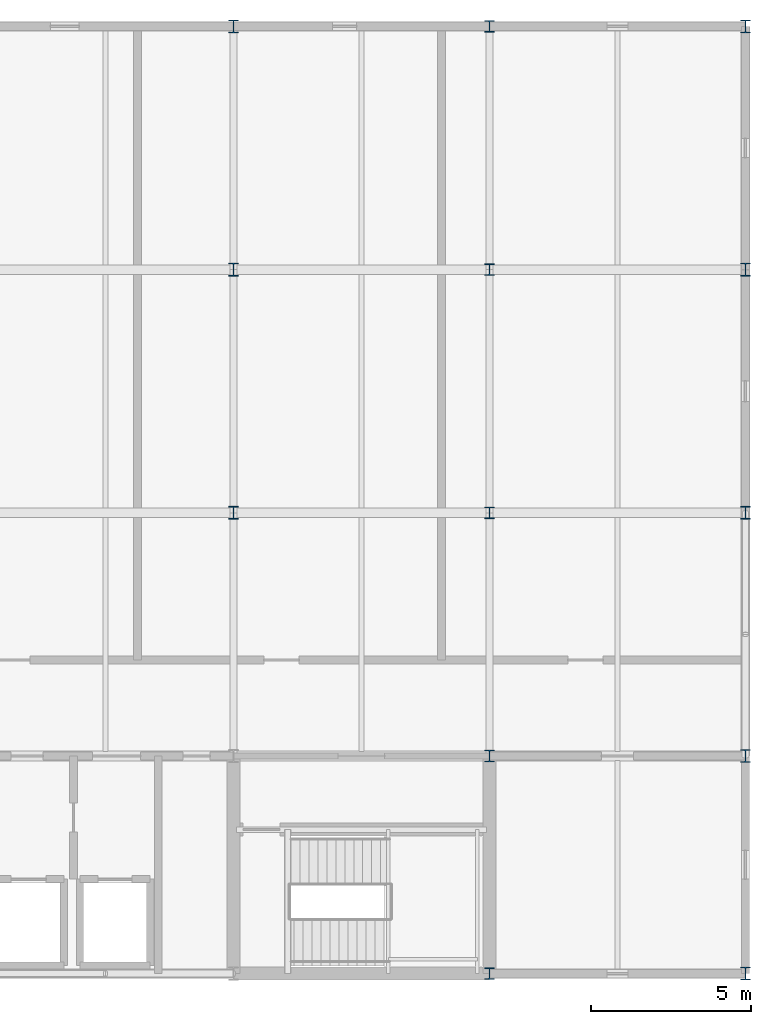
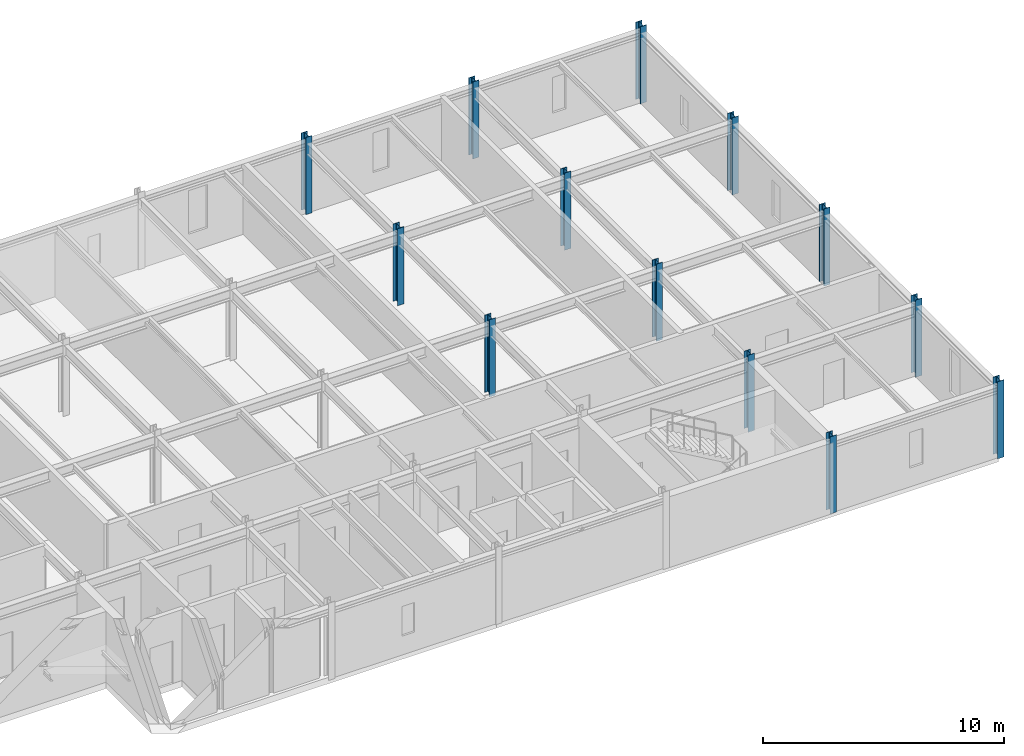
# One storey, part 2 of 9: 13 columns.
"""IFC4 building model written with IfcOpenShell, lengths in metres."""

from ifc_helpers import new_model, si_unit, direction, frame, origin, origin_2d, place, context, subcontext, project, spatial, i_section, extrude, material, material_profile, profile_set, type_object, element, save


model = new_model("IFC4")

# Units and contexts
model_context = context("Model", 3, precision=1e-05, world=origin(), true_north=direction((0.0, 1.0)))
body_context = subcontext(model_context, "Body", "Model", "MODEL_VIEW")
ifc_project = project(units=[si_unit("LENGTHUNIT", "METRE"), si_unit("AREAUNIT", "SQUARE_METRE"), si_unit("VOLUMEUNIT", "CUBIC_METRE"), si_unit("PLANEANGLEUNIT", "RADIAN"), si_unit("MASSUNIT", "GRAM", prefix="KILO")], contexts=[model_context])

# Site, building, storey
site_placement = place(None, origin())
site = spatial("IfcSite", under=ifc_project, at=site_placement, CompositionType="ELEMENT")
building_placement = place(site_placement, origin())
building = spatial("IfcBuilding", under=site, at=building_placement, Name="Shalkamar Park Central Library", CompositionType="ELEMENT")
storey_placement = place(building_placement, frame((0.0, 0.0, 60.0)))
storey = spatial("IfcBuildingStorey", under=building, at=storey_placement, Name="L15", CompositionType="ELEMENT", Elevation=60.0)

# Columns
ifc_material = material(Name="Steel S355", Category="steel")
ifc_material_profile_1 = material_profile(ifc_material, i_section(OverallWidth=0.300048828125, OverallDepth=0.360107421875, WebThickness=0.012451171875, FlangeThickness=0.0224609375, FilletRadius=0.027099609375, at=origin_2d()), Name="HEB 360")
ifc_profile_set_1 = profile_set([ifc_material_profile_1], Name="Steel S355")
column_type_1 = type_object("IfcColumnType", Name="Column Steel HEB360", PredefinedType="COLUMN", material=ifc_profile_set_1)
for number, where, z_axis, x_axis, name in (
    (1, (205.0, 248.39990234375, 0.0), (0.0, 0.0, 1.0), (1.0, 0.0, 0.0), "Column 12/B (L15)"),
    (2, (205.0, 255.199951171875, 0.0), (0.0, 0.0, 1.0), (1.0, 0.0, 0.0), "Column 12/C (L15)"),
    (3, (205.0, 262.800048828125, 0.0), (0.0, 0.0, 1.0), (1.0, 0.0, 0.0), "Column 12/D (L15)"),
    (4, (205.0, 270.39990234375, 0.0), (0.0, 0.0, 1.0), (1.0, 0.0, 0.0), "Column 12/E (L15)"),
    (5, (205.0, 278.0, 0.0), (0.0, 0.0, 1.0), (1.0, 0.0, 0.0), "Column 12/F (L15)"),
):
    element("IfcColumn", number, at=place(storey_placement, frame(where, z_axis=z_axis, x_axis=x_axis)), inside=storey, type_object=column_type_1, Name=name, PredefinedType="COLUMN", context=body_context, shape_type="SweptSolid", body=[
        extrude(i_section(OverallWidth=0.300048828125, OverallDepth=0.360107421875, WebThickness=0.012451171875, FlangeThickness=0.0224609375, FilletRadius=0.027099609375, at=origin_2d()), origin(), (0.0, 0.0, 1.0), 3.89990234375),
    ])
ifc_material_profile_2 = material_profile(ifc_material, i_section(OverallWidth=0.300048828125, OverallDepth=0.39990234375, WebThickness=0.013427734375, FlangeThickness=0.02392578125, FilletRadius=0.027099609375, at=origin_2d()), Name="HEB 400")
ifc_profile_set_2 = profile_set([ifc_material_profile_2], Name="Steel S355")
column_type_2 = type_object("IfcColumnType", Name="Column Steel HEB400", PredefinedType="COLUMN", material=ifc_profile_set_2)
for number, where, z_axis, x_axis, name in (
    (6, (197.0, 262.800048828125, 0.0), (0.0, 0.0, 1.0), (1.0, 0.0, 0.0), "Column 11/D (L15)"),
    (7, (197.0, 270.39990234375, 0.0), (0.0, 0.0, 1.0), (1.0, 0.0, 0.0), "Column 11/E (L15)"),
    (8, (197.0, 278.0, 0.0), (0.0, 0.0, 1.0), (1.0, 0.0, 0.0), "Column 11/F (L15)"),
    (9, (213.0, 248.39990234375, 0.0), (0.0, 0.0, 1.0), (1.0, 0.0, 0.0), "Column 13/B (L15)"),
    (10, (213.0, 255.199951171875, 0.0), (0.0, 0.0, 1.0), (1.0, 0.0, 0.0), "Column 13/C (L15)"),
    (11, (213.0, 262.800048828125, 0.0), (0.0, 0.0, 1.0), (1.0, 0.0, 0.0), "Column 13/D (L15)"),
    (12, (213.0, 270.39990234375, 0.0), (0.0, 0.0, 1.0), (1.0, 0.0, 0.0), "Column 13/E (L15)"),
    (13, (213.0, 278.0, 0.0), (0.0, 0.0, 1.0), (1.0, 0.0, 0.0), "Column 13/F (L15)"),
):
    element("IfcColumn", number, at=place(storey_placement, frame(where, z_axis=z_axis, x_axis=x_axis)), inside=storey, type_object=column_type_2, Name=name, PredefinedType="COLUMN", context=body_context, shape_type="SweptSolid", body=[
        extrude(i_section(OverallWidth=0.300048828125, OverallDepth=0.39990234375, WebThickness=0.013427734375, FlangeThickness=0.02392578125, FilletRadius=0.027099609375, at=origin_2d()), origin(), (0.0, 0.0, 1.0), 3.89990234375),
    ])

save(model, "model.ifc")
